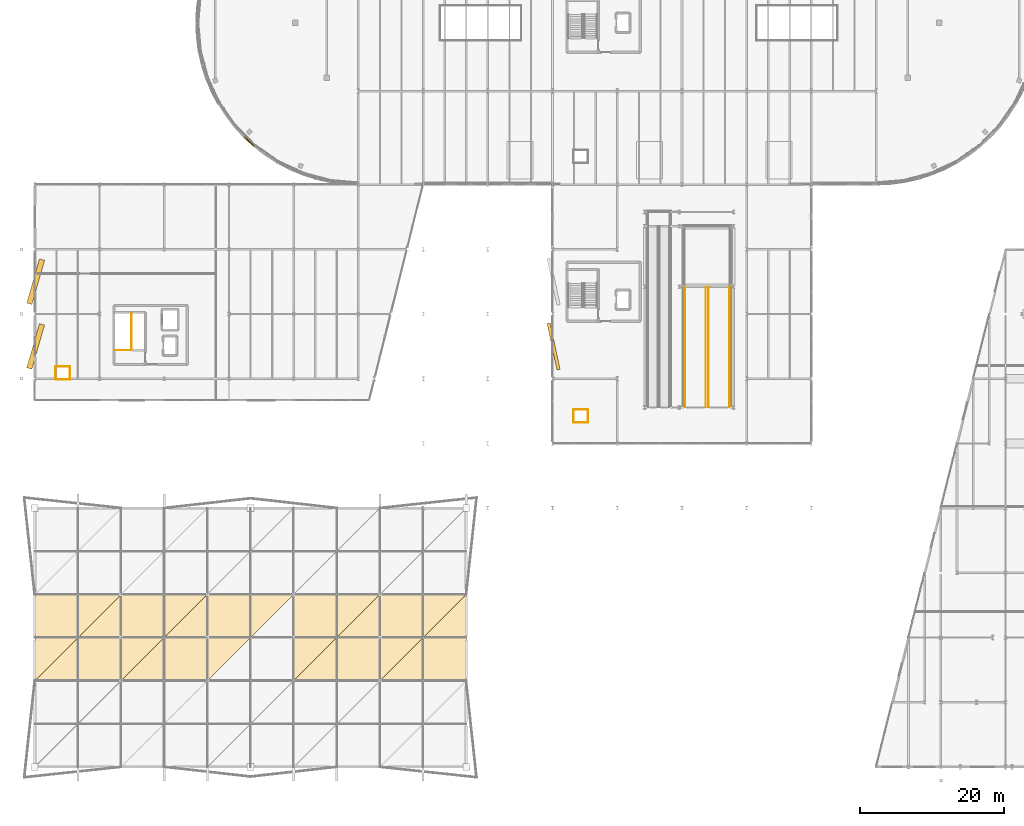
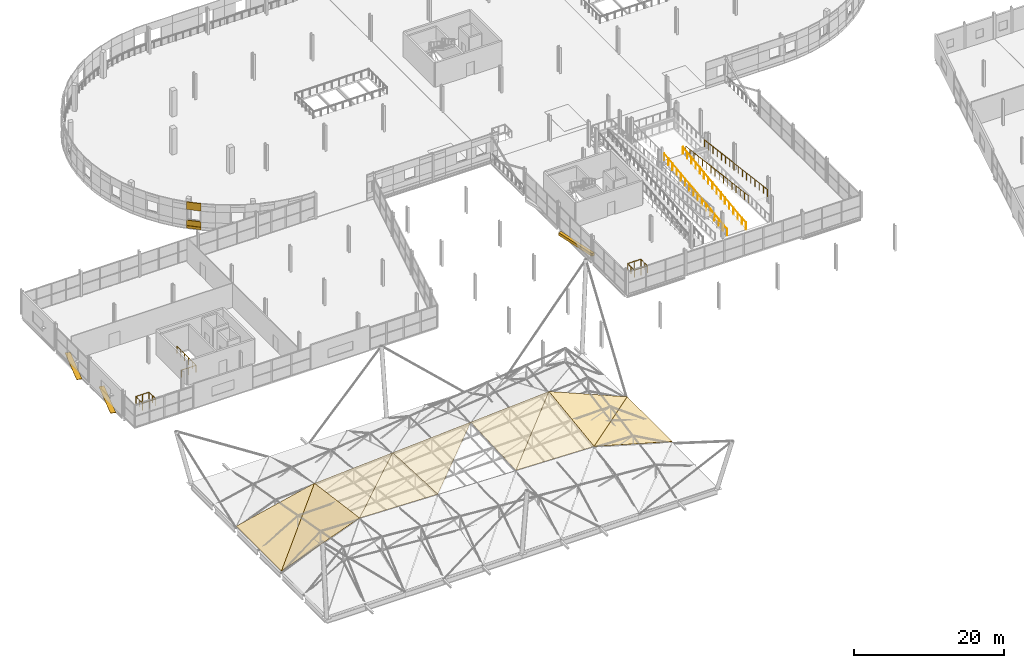
# One storey, part 119 of 132: 12 coverings, 9 railings, 3 shading devices.
"""IFC4 building model written with IfcOpenShell, lengths in metres."""

import ifcopenshell
import ifcopenshell.guid

model = None  # the IFC model being written
_history = None  # IfcOwnerHistory: only IFC2X3 demands one
_inside = {}  # id of a spatial element -> (the spatial element, [elements in it])
_under = {}  # id of a project, library or spatial element -> (it, [spatial elements below it])
_declared = {}  # id of a project -> (the project, [libraries it declares])
_typed = {}  # id of a type object -> (the type object, [elements of that type])
_made_of = {}  # id of a material, layer set ... -> (it, [elements and type objects made of it])


def new_model(schema):
    """Start an empty IFC model of exactly this schema.

    Asked for "IFC4X3", IfcOpenShell would pick the latest addendum, in which some entities
    have other attributes; the version numbers below select the first issue.
    IFC2X3 requires an IfcOwnerHistory on every rooted entity: one is made here for all.
    """
    global model, _history
    if schema == "IFC4X3":
        model = ifcopenshell.file(schema_version=(4, 3, 0, 0))
    else:
        model = ifcopenshell.file(schema=schema)
    _inside.clear()
    _under.clear()
    _declared.clear()
    _typed.clear()
    _made_of.clear()
    _history = None
    if model.schema == "IFC2X3":
        org = make("IfcOrganization", Name="unknown")
        user = make(
            "IfcPersonAndOrganization",
            ThePerson=make("IfcPerson", FamilyName="unknown"),
            TheOrganization=org,
        )
        app = make(
            "IfcApplication",
            ApplicationDeveloper=org,
            Version="unknown",
            ApplicationFullName="unknown",
            ApplicationIdentifier="unknown",
        )
        _history = make(
            "IfcOwnerHistory",
            OwningUser=user,
            OwningApplication=app,
            ChangeAction="ADDED",
            CreationDate=0,
        )
    return model


def make(cls, **values):
    """One entity of the class cls with the attributes given. An attribute that is None is left unset."""
    return model.create_entity(
        cls, **{name: value for name, value in values.items() if value is not None}
    )


def rooted(cls, **values):
    """An entity with a GlobalId (a new one), such as an element, a storey or a relation."""
    return make(cls, GlobalId=ifcopenshell.guid.new(), OwnerHistory=_history, **values)


def si_unit(unit_type, name, prefix=None):
    """IfcSIUnit, for example si_unit("LENGTHUNIT", "METRE", prefix="MILLI")."""
    return make("IfcSIUnit", UnitType=unit_type, Prefix=prefix, Name=name)


def assignment(units):
    """IfcUnitAssignment: the units of a project."""
    return None if units is None else make("IfcUnitAssignment", Units=units)


def point(xyz):
    """IfcCartesianPoint."""
    return None if xyz is None else make("IfcCartesianPoint", Coordinates=xyz)


def direction(xyz):
    """IfcDirection."""
    return None if xyz is None else make("IfcDirection", DirectionRatios=xyz)


def frame(location, z_axis=None, x_axis=None):
    """IfcAxis2Placement3D, a coordinate frame: its origin and axes. An axis left out is left unset."""
    return make(
        "IfcAxis2Placement3D",
        Location=point(location),
        Axis=direction(z_axis),
        RefDirection=direction(x_axis),
    )


def frame_2d(location, x_axis=None):
    """IfcAxis2Placement2D, a coordinate frame in the plane: its origin and x axis."""
    return make(
        "IfcAxis2Placement2D", Location=point(location), RefDirection=direction(x_axis)
    )


def origin():
    """The frame at (0, 0, 0) with its axes left unset."""
    return frame((0.0, 0.0, 0.0))


def origin_2d():
    """The frame at (0, 0) in the plane with its x axis left unset."""
    return frame_2d((0.0, 0.0))


def place(relative_to, where):
    """IfcLocalPlacement: puts the frame where relative to a parent placement (None: the world)."""
    return make(
        "IfcLocalPlacement", PlacementRelTo=relative_to, RelativePlacement=where
    )


def context(
    kind, dimensions, precision=None, world=None, true_north=None, identifier=None
):
    """IfcGeometricRepresentationContext, for example the 3D "Model" context."""
    return make(
        "IfcGeometricRepresentationContext",
        ContextIdentifier=identifier,
        ContextType=kind,
        CoordinateSpaceDimension=dimensions,
        Precision=precision,
        WorldCoordinateSystem=world,
        TrueNorth=true_north,
    )


def subcontext(parent, identifier, kind, view, scale=None):
    """IfcGeometricRepresentationSubContext, for example "Body" below "Model"."""
    return make(
        "IfcGeometricRepresentationSubContext",
        ContextIdentifier=identifier,
        ContextType=kind,
        ParentContext=parent,
        TargetScale=scale,
        TargetView=view,
    )


def project(units=None, contexts=None):
    """IfcProject with its units and contexts."""
    return rooted(
        "IfcProject",
        Name="project",
        RepresentationContexts=contexts,
        UnitsInContext=assignment(units),
    )


def spatial(cls, under=None, at=None, **own):
    """A site, building, storey or space (cls), placed at a placement, below another one or the project."""
    s = rooted(cls, ObjectPlacement=at, **own)
    if under is not None:
        _under.setdefault(under.id(), (under, []))[1].append(s)
    return s


def polyline(points):
    """IfcPolyline through the points."""
    return make("IfcPolyline", Points=[point(p) for p in points])


def profile(cls, at=None, kind="AREA", **sizes):
    """A parametric profile (cls). Its sizes go by their IFC names, for example OverallWidth=200.0."""
    return make(cls, ProfileType=kind, Position=at, **sizes)


def rectangle(**sizes):
    """IfcRectangleProfileDef."""
    return profile("IfcRectangleProfileDef", **sizes)


def circle(**sizes):
    """IfcCircleProfileDef."""
    return profile("IfcCircleProfileDef", **sizes)


def outline(outer, holes=None, kind="AREA"):
    """IfcArbitraryClosedProfileDef: a profile drawn as a closed curve; with holes, ...WithVoids."""
    if holes is None:
        return make("IfcArbitraryClosedProfileDef", ProfileType=kind, OuterCurve=outer)
    return make(
        "IfcArbitraryProfileDefWithVoids",
        ProfileType=kind,
        OuterCurve=outer,
        InnerCurves=holes,
    )


def extrude(swept, where, along, depth):
    """IfcExtrudedAreaSolid: the profile swept, set in the frame where, extruded along a direction by depth."""
    return make(
        "IfcExtrudedAreaSolid",
        SweptArea=swept,
        Position=where,
        ExtrudedDirection=direction(along),
        Depth=depth,
    )


def shape(context_of_items, identifier, shape_type, items):
    """IfcShapeRepresentation: the items that make up one representation, for example the "Body"."""
    return make(
        "IfcShapeRepresentation",
        ContextOfItems=context_of_items,
        RepresentationIdentifier=identifier,
        RepresentationType=shape_type,
        Items=items,
    )


def material(Name=None, Category=None):
    """IfcMaterial."""
    return make("IfcMaterial", Name=Name, Category=Category)


def layer(
    of_material, thickness, ventilated=None, Name=None, Category=None, Priority=None
):
    """IfcMaterialLayer: one layer of a wall or slab, of a material (None: an air gap)."""
    return make(
        "IfcMaterialLayer",
        Material=of_material,
        LayerThickness=thickness,
        IsVentilated=ventilated,
        Name=Name,
        Category=Category,
        Priority=Priority,
    )


def layer_set(layers, Name=None):
    """IfcMaterialLayerSet."""
    return make("IfcMaterialLayerSet", MaterialLayers=layers, LayerSetName=Name)


def made_of(thing, what):
    """Note that an element or type object is made of a material, layer set ...; save() writes the relation."""
    if what is not None:
        _made_of.setdefault(what.id(), (what, []))[1].append(thing)
    return thing


def type_object(cls, material=None, **own):
    """A type object (cls), such as IfcWallType, which elements share."""
    return made_of(rooted(cls, **own), material)


def element(
    cls,
    number,
    at=None,
    inside=None,
    cuts=None,
    type_object=None,
    material=None,
    context=None,
    identifier="Body",
    shape_type=None,
    held_by="IfcProductDefinitionShape",
    body=None,
    shapes=None,
    **own,
):
    """One element of the class cls, such as IfcWall. Its Tag is "e" and its number.

    at: its placement. inside: the storey or other place that contains it. cuts: it is an
    opening in that element (IfcRelVoidsElement). A single representation is given by context,
    identifier, shape_type and body (its items); several are given by shapes. held_by: the class
    of the entity that holds the representations. save() writes the other relations.
    """
    e = rooted(cls, Tag="e%d" % number, ObjectPlacement=at, **own)
    if body is not None:
        shapes = [shape(context, identifier, shape_type, body)]
    if shapes is not None:
        e.Representation = make(held_by, Representations=shapes)
    if inside is not None:
        _inside.setdefault(inside.id(), (inside, []))[1].append(e)
    if cuts is not None:
        rooted(
            "IfcRelVoidsElement", RelatingBuildingElement=cuts, RelatedOpeningElement=e
        )
    if type_object is not None:
        _typed.setdefault(type_object.id(), (type_object, []))[1].append(e)
    return made_of(e, material)


def aggregate(whole, parts):
    """IfcRelAggregates: a whole, such as a stair, and the parts it consists of."""
    return rooted("IfcRelAggregates", RelatingObject=whole, RelatedObjects=parts)


def save(model, path):
    """Write the relations noted so far, then the file.

    IfcRelAggregates (storeys below a building ...), IfcRelContainedInSpatialStructure (elements
    in a storey), IfcRelDefinesByType, IfcRelAssociatesMaterial and IfcRelDeclares: one each for
    every whole, place, type object, material and project.
    """
    for whole, parts in _under.values():
        aggregate(whole, parts)
    for where, things in _inside.values():
        rooted(
            "IfcRelContainedInSpatialStructure",
            RelatedElements=things,
            RelatingStructure=where,
        )
    for kind, things in _typed.values():
        rooted("IfcRelDefinesByType", RelatedObjects=things, RelatingType=kind)
    for what, things in _made_of.values():
        rooted("IfcRelAssociatesMaterial", RelatedObjects=things, RelatingMaterial=what)
    for by, libraries in _declared.values():
        rooted("IfcRelDeclares", RelatingContext=by, RelatedDefinitions=libraries)
    model.write(path)


model = new_model("IFC4")

# Units and contexts
model_context = context("Model", 3, precision=1e-05, world=origin(), true_north=direction((0.0, 1.0)))
body_context = subcontext(model_context, "Body", "Model", "MODEL_VIEW")
ifc_project = project(units=[si_unit("LENGTHUNIT", "METRE"), si_unit("AREAUNIT", "SQUARE_METRE"), si_unit("VOLUMEUNIT", "CUBIC_METRE"), si_unit("PLANEANGLEUNIT", "RADIAN"), si_unit("MASSUNIT", "GRAM", prefix="KILO")], contexts=[model_context])

# Site, building, storey
site_placement = place(None, origin())
site = spatial("IfcSite", under=ifc_project, at=site_placement, CompositionType="ELEMENT")
building_placement = place(site_placement, origin())
building = spatial("IfcBuilding", under=site, at=building_placement, Name="Deido Ridge Mobility Hub", CompositionType="ELEMENT")
storey_placement = place(building_placement, frame((0.0, 0.0, 8.39990234375)))
storey = spatial("IfcBuildingStorey", under=building, at=storey_placement, Name="L02", CompositionType="ELEMENT", Elevation=8.39990234375)

# Coverings
ifc_material_1 = material(Name="Fired clay brick masonry", Category="masonry")
ifc_layer_1 = layer(ifc_material_1, 0.114990234375, Name="Fired clay brick masonry")
ifc_layer_set_1 = layer_set([ifc_layer_1], Name="Fired clay brick masonry")
covering_type_1 = type_object("IfcCoveringType", Name="COV-BRK-SCREEN-115", PredefinedType="CLADDING", material=ifc_layer_set_1)
covering_1_placement = place(storey_placement, frame((29.84912109375, 86.9658203125, 0.0), z_axis=(0.0, 0.0, 1.0), x_axis=(0.737289127971, -0.675577339596, 0.0)))
element("IfcCovering", 1, at=covering_1_placement, inside=storey, type_object=covering_type_1, Name="Open brickwork spandrel course BKS1 (L02)", PredefinedType="CLADDING", context=body_context, shape_type="SweptSolid", body=[
    extrude(rectangle(XDim=1.9619140625, YDim=0.125, at=origin_2d()), origin(), (0.0, 0.0, 1.0), 1.25),
])
covering_2_placement = place(storey_placement, frame((29.83056640625, 86.9453125, 0.000244140625), z_axis=(0.0, 0.0, 1.0), x_axis=(0.737289127971, -0.675577339596, 0.0)))
element("IfcCovering", 2, at=covering_2_placement, inside=storey, type_object=covering_type_1, Name="Raised brick relief belt BKS1 (L02)", PredefinedType="CLADDING", context=body_context, shape_type="SweptSolid", body=[
    extrude(rectangle(XDim=1.9619140625, YDim=0.179931640625, at=origin_2d()), origin(), (0.0, 0.0, 1.0), 0.39990234375),
])
covering_3_placement = place(storey_placement, frame((29.84912109375, 86.9658203125, 3.0), z_axis=(0.0, 0.0, 1.0), x_axis=(0.737289127971, -0.675577339596, 0.0)))
element("IfcCovering", 3, at=covering_3_placement, inside=storey, type_object=covering_type_1, Name="Open brickwork lintel course BKS1 (L02)", PredefinedType="CLADDING", context=body_context, shape_type="SweptSolid", body=[
    extrude(rectangle(XDim=1.9619140625, YDim=0.125, at=origin_2d()), origin(), (0.0, 0.0, 1.0), 1.199951171875),
])
ifc_material_2 = material(Name="PTFE coated glass-fibre architectural membrane", Category="glass")
ifc_layer_2 = layer(ifc_material_2, 0.02490234375, Name="PTFE coated glass-fibre architectural membrane")
ifc_layer_set_2 = layer_set([ifc_layer_2], Name="PTFE coated glass-fibre architectural membrane")
covering_type_2 = type_object("IfcCoveringType", Name="COV-ROOFING-PTFE", PredefinedType="ROOFING", material=ifc_layer_set_2)
covering_4_placement = place(storey_placement, frame((0.0, 12.0, 0.320068359375), z_axis=(-0.342134847557, 0.127228022534, 0.930997731667), x_axis=(0.938625476199, 0.0, 0.344937987805)))
element("IfcCovering", 4, at=covering_4_placement, inside=storey, type_object=covering_type_2, Name="PTFE outer architectural membrane 1A", PredefinedType="ROOFING", context=body_context, shape_type="SweptSolid", body=[
    extrude(outline(polyline([(0.0, 0.0), (12.784651923787846, 0.0), (12.218990677673531, 12.098317032646893), (0.0, 0.0)])), origin(), (0.0, 0.0, -1.0), 0.02490234375),
])
covering_5_placement = place(storey_placement, frame((0.0, 12.0, 0.320068359375), z_axis=(-0.224920313956, 0.0, 0.974377161252), x_axis=(0.697871408955, 0.697871408955, 0.161093119426)))
element("IfcCovering", 5, at=covering_5_placement, inside=storey, type_object=covering_type_2, Name="PTFE outer architectural membrane 1B", PredefinedType="ROOFING", context=body_context, shape_type="SweptSolid", body=[
    extrude(outline(polyline([(0.0, 0.0), (17.19514490207938, -1.4988010832439613e-15), (8.374456907460335, 8.594676928488347), (0.0, 0.0)])), origin(), (0.0, 0.0, -1.0), 0.02490234375),
])
covering_6_placement = place(storey_placement, frame((12.0, 12.0, 4.72998046875), z_axis=(0.027183431555, 0.045488567452, 0.998594938541), x_axis=(0.999629695867, 0.0, -0.027211599387)))
element("IfcCovering", 6, at=covering_6_placement, inside=storey, type_object=covering_type_2, Name="PTFE outer architectural membrane 2A", PredefinedType="ROOFING", context=body_context, shape_type="SweptSolid", body=[
    extrude(outline(polyline([(0.0, 0.0), (12.004445295709473, 1.734723475976807e-18), (12.019319995667358, 12.012434559227462), (0.0, 0.0)])), origin(), (0.0, 0.0, -1.0), 0.02490234375),
])
covering_7_placement = place(storey_placement, frame((12.0, 12.0, 4.72998046875), z_axis=(-0.063168759043, 0.13512883901, 0.988812370851), x_axis=(0.706172410889, 0.706172410889, -0.051391168493)))
element("IfcCovering", 7, at=covering_7_placement, inside=storey, type_object=covering_type_2, Name="PTFE outer architectural membrane 2B", PredefinedType="ROOFING", context=body_context, shape_type="SweptSolid", body=[
    extrude(outline(polyline([(0.0, 0.0), (16.993017307057958, 5.689893001203927e-16), (8.558344926457659, 8.569946311825175), (0.0, 0.0)])), origin(), (0.0, 0.0, -1.0), 0.02490234375),
])
covering_8_placement = place(storey_placement, frame((24.0, 12.0, 4.4033203125), z_axis=(-0.063687729233, 0.045413001832, 0.996936072379), x_axis=(0.707047387883, 0.707047387883, 0.012960809255)))
element("IfcCovering", 8, at=covering_8_placement, inside=storey, type_object=covering_type_2, Name="PTFE outer architectural membrane 3B", PredefinedType="ROOFING", context=body_context, shape_type="SweptSolid", body=[
    extrude(outline(polyline([(0.0, 0.0), (16.971988307509328, -5.238864897449957e-16), (8.477483876291222, 8.510644653822848), (0.0, 0.0)])), origin(), (0.0, 0.0, -1.0), 0.02490234375),
])
covering_9_placement = place(storey_placement, frame((36.0, 12.0, 4.076904296875), z_axis=(0.02698125614, -0.135369737677, 0.990427708588), x_axis=(0.999629142449, 0.0, -0.027231921829)))
element("IfcCovering", 9, at=covering_9_placement, inside=storey, type_object=covering_type_2, Name="PTFE outer architectural membrane 4A", PredefinedType="ROOFING", context=body_context, shape_type="SweptSolid", body=[
    extrude(outline(polyline([(0.0, 0.0), (12.004451941647122, 0.0), (11.95978786673324, 12.111484367186545), (0.0, 0.0)])), origin(), (0.0, 0.0, -1.0), 0.02490234375),
])
covering_10_placement = place(storey_placement, frame((36.0, 12.0, 4.076904296875), z_axis=(-0.063707988309, -0.045392702272, 0.996935702443), x_axis=(0.70499912102, 0.70499912102, 0.077152308593)))
element("IfcCovering", 10, at=covering_10_placement, inside=storey, type_object=covering_type_2, Name="PTFE outer architectural membrane 4B", PredefinedType="ROOFING", context=body_context, shape_type="SweptSolid", body=[
    extrude(outline(polyline([(0.0, 0.0), (17.021297817553858, 9.055256544598933e-16), (8.50214444897962, 8.485993060043798), (0.0, 0.0)])), origin(), (0.0, 0.0, -1.0), 0.02490234375),
])
covering_11_placement = place(storey_placement, frame((48.0, 12.0, 3.75), z_axis=(0.274821887439, 0.0, 0.96149515349), x_axis=(0.96149515349, 0.0, -0.274821887439)))
element("IfcCovering", 11, at=covering_11_placement, inside=storey, type_object=covering_type_2, Name="PTFE outer architectural membrane 5A", PredefinedType="ROOFING", context=body_context, shape_type="SweptSolid", body=[
    extrude(outline(polyline([(0.0, 0.0), (12.48056212914148, 0.0), (12.48056212914148, 12.0), (0.0, 0.0)])), origin(), (0.0, 0.0, -1.0), 0.02490234375),
])
covering_12_placement = place(storey_placement, frame((48.0, 12.0, 3.75), z_axis=(0.386145229507, -0.124915666771, 0.913940883167), x_axis=(0.693092494909, 0.693092494909, -0.198104989847)))
element("IfcCovering", 12, at=covering_12_placement, inside=storey, type_object=covering_type_2, Name="PTFE outer architectural membrane 5B", PredefinedType="ROOFING", context=body_context, shape_type="SweptSolid", body=[
    extrude(outline(polyline([(0.0, 0.0), (17.31370645065234, 8.881784197001252e-16), (7.992190670888663, 9.1002712452076), (0.0, 0.0)])), origin(), (0.0, 0.0, -1.0), 0.02490234375),
])

# Railings
ifc_material_3 = material(Name="Galvanised steel work", Category="steel")
railing_type_1 = type_object("IfcRailingType", Name="RL-GRD-EXT-1150", PredefinedType="GUARDRAIL", material=ifc_material_3)
railing_1_placement = place(storey_placement, frame((90.39990234375, 50.050048828125, 0.0)))
element("IfcRailing", 13, at=railing_1_placement, inside=storey, type_object=railing_type_1, Name="Vehicle ramp F1 guard (L02)", PredefinedType="GUARDRAIL", context=body_context, shape_type="SweptSolid", body=[
    extrude(circle(Radius=0.02392578125, at=origin_2d()), frame((0.0, 0.0, 1.1259765625), z_axis=(0.0, 0.992231528187, 0.1244049616), x_axis=(-1.0, 0.0, 0.0)), (0.0, 0.0, 1.0), 16.881103515625),
    extrude(circle(Radius=0.02099609375, at=origin_2d()), origin(), (0.0, 0.0, 1.0), 1.101806640625),
    extrude(circle(Radius=0.02099609375, at=origin_2d()), frame((0.0, 1.11669921875, 0.139892578125)), (0.0, 0.0, 1.0), 1.101806640625),
    extrude(circle(Radius=0.02099609375, at=origin_2d()), frame((0.0, 2.2333984375, 0.280029296875)), (0.0, 0.0, 1.0), 1.101806640625),
    extrude(circle(Radius=0.02099609375, at=origin_2d()), frame((0.0, 3.35009765625, 0.419921875)), (0.0, 0.0, 1.0), 1.101806640625),
    extrude(circle(Radius=0.02099609375, at=origin_2d()), frame((0.0, 4.466552734375, 0.56005859375)), (0.0, 0.0, 1.0), 1.101806640625),
    extrude(circle(Radius=0.02099609375, at=origin_2d()), frame((0.0, 5.583251953125, 0.699951171875)), (0.0, 0.0, 1.0), 1.101806640625),
    extrude(circle(Radius=0.02099609375, at=origin_2d()), frame((0.0, 6.699951171875, 0.840087890625)), (0.0, 0.0, 1.0), 1.101806640625),
    extrude(circle(Radius=0.02099609375, at=origin_2d()), frame((0.0, 7.816650390625, 0.97998046875)), (0.0, 0.0, 1.0), 1.101806640625),
    extrude(circle(Radius=0.02099609375, at=origin_2d()), frame((0.0, 8.933349609375, 1.1201171875)), (0.0, 0.0, 1.0), 1.101806640625),
    extrude(circle(Radius=0.02099609375, at=origin_2d()), frame((0.0, 10.050048828125, 1.260009765625)), (0.0, 0.0, 1.0), 1.101806640625),
    extrude(circle(Radius=0.02099609375, at=origin_2d()), frame((0.0, 11.166748046875, 1.400146484375)), (0.0, 0.0, 1.0), 1.101806640625),
    extrude(circle(Radius=0.02099609375, at=origin_2d()), frame((0.0, 12.283447265625, 1.5400390625)), (0.0, 0.0, 1.0), 1.101806640625),
    extrude(circle(Radius=0.02099609375, at=origin_2d()), frame((0.0, 13.39990234375, 1.68017578125)), (0.0, 0.0, 1.0), 1.101806640625),
    extrude(circle(Radius=0.02099609375, at=origin_2d()), frame((0.0, 14.5166015625, 1.820068359375)), (0.0, 0.0, 1.0), 1.101806640625),
    extrude(circle(Radius=0.02099609375, at=origin_2d()), frame((0.0, 15.63330078125, 1.960205078125)), (0.0, 0.0, 1.0), 1.101806640625),
    extrude(circle(Radius=0.02099609375, at=origin_2d()), frame((0.0, 16.75, 2.10009765625)), (0.0, 0.0, 1.0), 1.101806640625),
])
railing_2_placement = place(storey_placement, frame((93.300048828125, 50.050048828125, 0.0)))
element("IfcRailing", 14, at=railing_2_placement, inside=storey, type_object=railing_type_1, Name="Vehicle ramp F1 guard (L02)", PredefinedType="GUARDRAIL", context=body_context, shape_type="SweptSolid", body=[
    extrude(circle(Radius=0.02392578125, at=origin_2d()), frame((0.0, 0.0, 1.1259765625), z_axis=(0.0, 0.992231528187, 0.1244049616), x_axis=(-1.0, 0.0, 0.0)), (0.0, 0.0, 1.0), 16.881103515625),
    extrude(circle(Radius=0.02099609375, at=origin_2d()), origin(), (0.0, 0.0, 1.0), 1.101806640625),
    extrude(circle(Radius=0.02099609375, at=origin_2d()), frame((0.0, 1.11669921875, 0.139892578125)), (0.0, 0.0, 1.0), 1.101806640625),
    extrude(circle(Radius=0.02099609375, at=origin_2d()), frame((0.0, 2.2333984375, 0.280029296875)), (0.0, 0.0, 1.0), 1.101806640625),
    extrude(circle(Radius=0.02099609375, at=origin_2d()), frame((0.0, 3.35009765625, 0.419921875)), (0.0, 0.0, 1.0), 1.101806640625),
    extrude(circle(Radius=0.02099609375, at=origin_2d()), frame((0.0, 4.466552734375, 0.56005859375)), (0.0, 0.0, 1.0), 1.101806640625),
    extrude(circle(Radius=0.02099609375, at=origin_2d()), frame((0.0, 5.583251953125, 0.699951171875)), (0.0, 0.0, 1.0), 1.101806640625),
    extrude(circle(Radius=0.02099609375, at=origin_2d()), frame((0.0, 6.699951171875, 0.840087890625)), (0.0, 0.0, 1.0), 1.101806640625),
    extrude(circle(Radius=0.02099609375, at=origin_2d()), frame((0.0, 7.816650390625, 0.97998046875)), (0.0, 0.0, 1.0), 1.101806640625),
    extrude(circle(Radius=0.02099609375, at=origin_2d()), frame((0.0, 8.933349609375, 1.1201171875)), (0.0, 0.0, 1.0), 1.101806640625),
    extrude(circle(Radius=0.02099609375, at=origin_2d()), frame((0.0, 10.050048828125, 1.260009765625)), (0.0, 0.0, 1.0), 1.101806640625),
    extrude(circle(Radius=0.02099609375, at=origin_2d()), frame((0.0, 11.166748046875, 1.400146484375)), (0.0, 0.0, 1.0), 1.101806640625),
    extrude(circle(Radius=0.02099609375, at=origin_2d()), frame((0.0, 12.283447265625, 1.5400390625)), (0.0, 0.0, 1.0), 1.101806640625),
    extrude(circle(Radius=0.02099609375, at=origin_2d()), frame((0.0, 13.39990234375, 1.68017578125)), (0.0, 0.0, 1.0), 1.101806640625),
    extrude(circle(Radius=0.02099609375, at=origin_2d()), frame((0.0, 14.5166015625, 1.820068359375)), (0.0, 0.0, 1.0), 1.101806640625),
    extrude(circle(Radius=0.02099609375, at=origin_2d()), frame((0.0, 15.63330078125, 1.960205078125)), (0.0, 0.0, 1.0), 1.101806640625),
    extrude(circle(Radius=0.02099609375, at=origin_2d()), frame((0.0, 16.75, 2.10009765625)), (0.0, 0.0, 1.0), 1.101806640625),
])
railing_3_placement = place(storey_placement, frame((93.699951171875, 66.800048828125, 2.10009765625)))
element("IfcRailing", 15, at=railing_3_placement, inside=storey, type_object=railing_type_1, Name="Vehicle ramp F2 guard (L02)", PredefinedType="GUARDRAIL", context=body_context, shape_type="SweptSolid", body=[
    extrude(circle(Radius=0.02392578125, at=origin_2d()), frame((0.0, 0.0, 1.1259765625), z_axis=(0.0, -0.992231528187, 0.1244049616), x_axis=(1.0, 0.0, 0.0)), (0.0, 0.0, 1.0), 16.881103515625),
    extrude(circle(Radius=0.02099609375, at=origin_2d()), origin(), (0.0, 0.0, 1.0), 1.101806640625),
    extrude(circle(Radius=0.02099609375, at=origin_2d()), frame((0.0, -1.11669921875, 0.139892578125)), (0.0, 0.0, 1.0), 1.101806640625),
    extrude(circle(Radius=0.02099609375, at=origin_2d()), frame((0.0, -2.2333984375, 0.280029296875)), (0.0, 0.0, 1.0), 1.101806640625),
    extrude(circle(Radius=0.02099609375, at=origin_2d()), frame((0.0, -3.35009765625, 0.419921875)), (0.0, 0.0, 1.0), 1.101806640625),
    extrude(circle(Radius=0.02099609375, at=origin_2d()), frame((0.0, -4.466552734375, 0.56005859375)), (0.0, 0.0, 1.0), 1.101806640625),
    extrude(circle(Radius=0.02099609375, at=origin_2d()), frame((0.0, -5.583251953125, 0.699951171875)), (0.0, 0.0, 1.0), 1.101806640625),
    extrude(circle(Radius=0.02099609375, at=origin_2d()), frame((0.0, -6.699951171875, 0.840087890625)), (0.0, 0.0, 1.0), 1.101806640625),
    extrude(circle(Radius=0.02099609375, at=origin_2d()), frame((0.0, -7.816650390625, 0.97998046875)), (0.0, 0.0, 1.0), 1.101806640625),
    extrude(circle(Radius=0.02099609375, at=origin_2d()), frame((0.0, -8.933349609375, 1.1201171875)), (0.0, 0.0, 1.0), 1.101806640625),
    extrude(circle(Radius=0.02099609375, at=origin_2d()), frame((0.0, -10.050048828125, 1.260009765625)), (0.0, 0.0, 1.0), 1.101806640625),
    extrude(circle(Radius=0.02099609375, at=origin_2d()), frame((0.0, -11.166748046875, 1.400146484375)), (0.0, 0.0, 1.0), 1.101806640625),
    extrude(circle(Radius=0.02099609375, at=origin_2d()), frame((0.0, -12.283447265625, 1.5400390625)), (0.0, 0.0, 1.0), 1.101806640625),
    extrude(circle(Radius=0.02099609375, at=origin_2d()), frame((0.0, -13.39990234375, 1.68017578125)), (0.0, 0.0, 1.0), 1.101806640625),
    extrude(circle(Radius=0.02099609375, at=origin_2d()), frame((0.0, -14.5166015625, 1.820068359375)), (0.0, 0.0, 1.0), 1.101806640625),
    extrude(circle(Radius=0.02099609375, at=origin_2d()), frame((0.0, -15.63330078125, 1.960205078125)), (0.0, 0.0, 1.0), 1.101806640625),
    extrude(circle(Radius=0.02099609375, at=origin_2d()), frame((0.0, -16.75, 2.10009765625)), (0.0, 0.0, 1.0), 1.101806640625),
])
railing_4_placement = place(storey_placement, frame((96.60009765625, 66.800048828125, 2.10009765625)))
element("IfcRailing", 16, at=railing_4_placement, inside=storey, type_object=railing_type_1, Name="Vehicle ramp F2 guard (L02)", PredefinedType="GUARDRAIL", context=body_context, shape_type="SweptSolid", body=[
    extrude(circle(Radius=0.02392578125, at=origin_2d()), frame((0.0, 0.0, 1.1259765625), z_axis=(0.0, -0.992231528187, 0.1244049616), x_axis=(1.0, 0.0, 0.0)), (0.0, 0.0, 1.0), 16.881103515625),
    extrude(circle(Radius=0.02099609375, at=origin_2d()), origin(), (0.0, 0.0, 1.0), 1.101806640625),
    extrude(circle(Radius=0.02099609375, at=origin_2d()), frame((0.0, -1.11669921875, 0.139892578125)), (0.0, 0.0, 1.0), 1.101806640625),
    extrude(circle(Radius=0.02099609375, at=origin_2d()), frame((0.0, -2.2333984375, 0.280029296875)), (0.0, 0.0, 1.0), 1.101806640625),
    extrude(circle(Radius=0.02099609375, at=origin_2d()), frame((0.0, -3.35009765625, 0.419921875)), (0.0, 0.0, 1.0), 1.101806640625),
    extrude(circle(Radius=0.02099609375, at=origin_2d()), frame((0.0, -4.466552734375, 0.56005859375)), (0.0, 0.0, 1.0), 1.101806640625),
    extrude(circle(Radius=0.02099609375, at=origin_2d()), frame((0.0, -5.583251953125, 0.699951171875)), (0.0, 0.0, 1.0), 1.101806640625),
    extrude(circle(Radius=0.02099609375, at=origin_2d()), frame((0.0, -6.699951171875, 0.840087890625)), (0.0, 0.0, 1.0), 1.101806640625),
    extrude(circle(Radius=0.02099609375, at=origin_2d()), frame((0.0, -7.816650390625, 0.97998046875)), (0.0, 0.0, 1.0), 1.101806640625),
    extrude(circle(Radius=0.02099609375, at=origin_2d()), frame((0.0, -8.933349609375, 1.1201171875)), (0.0, 0.0, 1.0), 1.101806640625),
    extrude(circle(Radius=0.02099609375, at=origin_2d()), frame((0.0, -10.050048828125, 1.260009765625)), (0.0, 0.0, 1.0), 1.101806640625),
    extrude(circle(Radius=0.02099609375, at=origin_2d()), frame((0.0, -11.166748046875, 1.400146484375)), (0.0, 0.0, 1.0), 1.101806640625),
    extrude(circle(Radius=0.02099609375, at=origin_2d()), frame((0.0, -12.283447265625, 1.5400390625)), (0.0, 0.0, 1.0), 1.101806640625),
    extrude(circle(Radius=0.02099609375, at=origin_2d()), frame((0.0, -13.39990234375, 1.68017578125)), (0.0, 0.0, 1.0), 1.101806640625),
    extrude(circle(Radius=0.02099609375, at=origin_2d()), frame((0.0, -14.5166015625, 1.820068359375)), (0.0, 0.0, 1.0), 1.101806640625),
    extrude(circle(Radius=0.02099609375, at=origin_2d()), frame((0.0, -15.63330078125, 1.960205078125)), (0.0, 0.0, 1.0), 1.101806640625),
    extrude(circle(Radius=0.02099609375, at=origin_2d()), frame((0.0, -16.75, 2.10009765625)), (0.0, 0.0, 1.0), 1.101806640625),
])
railing_5_placement = place(storey_placement, frame((2.89990234375, 53.89990234375, 0.0)))
element("IfcRailing", 17, at=railing_5_placement, inside=storey, type_object=railing_type_1, Name="Service riser shaft guard (L02) A", PredefinedType="GUARDRAIL", context=body_context, shape_type="SweptSolid", body=[
    extrude(circle(Radius=0.02392578125, at=origin_2d()), frame((0.0, 0.0, 1.1259765625), z_axis=(1.0, 0.0, 0.0), x_axis=(0.0, 1.0, 0.0)), (0.0, 0.0, 1.0), 2.0),
    extrude(circle(Radius=0.02392578125, at=origin_2d()), frame((2.0, 0.0, 1.1259765625), z_axis=(0.0, 1.0, 0.0), x_axis=(-1.0, 0.0, 0.0)), (0.0, 0.0, 1.0), 1.739990234375),
    extrude(circle(Radius=0.02099609375, at=origin_2d()), origin(), (0.0, 0.0, 1.0), 1.101806640625),
    extrude(circle(Radius=0.02099609375, at=origin_2d()), frame((1.0, 0.0, 0.0)), (0.0, 0.0, 1.0), 1.101806640625),
    extrude(circle(Radius=0.02099609375, at=origin_2d()), frame((2.0, 0.0, 0.0)), (0.0, 0.0, 1.0), 1.101806640625),
    extrude(circle(Radius=0.02099609375, at=origin_2d()), frame((2.0, 0.8701171875, 0.0)), (0.0, 0.0, 1.0), 1.101806640625),
    extrude(circle(Radius=0.02099609375, at=origin_2d()), frame((2.0, 1.739990234375, 0.0)), (0.0, 0.0, 1.0), 1.101806640625),
])
railing_6_placement = place(storey_placement, frame((4.89990234375, 55.699951171875, 0.0)))
element("IfcRailing", 18, at=railing_6_placement, inside=storey, type_object=railing_type_1, Name="Service riser shaft guard (L02) B", PredefinedType="GUARDRAIL", context=body_context, shape_type="SweptSolid", body=[
    extrude(circle(Radius=0.02392578125, at=origin_2d()), frame((0.0, 0.0, 1.1259765625), z_axis=(-1.0, 0.0, 0.0), x_axis=(0.0, -1.0, 0.0)), (0.0, 0.0, 1.0), 2.0),
    extrude(circle(Radius=0.02392578125, at=origin_2d()), frame((-2.0, 0.0, 1.1259765625), z_axis=(0.0, -1.0, 0.0), x_axis=(1.0, 0.0, 0.0)), (0.0, 0.0, 1.0), 1.739990234375),
    extrude(circle(Radius=0.02099609375, at=origin_2d()), origin(), (0.0, 0.0, 1.0), 1.101806640625),
    extrude(circle(Radius=0.02099609375, at=origin_2d()), frame((-1.0, 0.0, 0.0)), (0.0, 0.0, 1.0), 1.101806640625),
    extrude(circle(Radius=0.02099609375, at=origin_2d()), frame((-2.0, 0.0, 0.0)), (0.0, 0.0, 1.0), 1.101806640625),
    extrude(circle(Radius=0.02099609375, at=origin_2d()), frame((-2.0, -0.8701171875, 0.0)), (0.0, 0.0, 1.0), 1.101806640625),
    extrude(circle(Radius=0.02099609375, at=origin_2d()), frame((-2.0, -1.739990234375, 0.0)), (0.0, 0.0, 1.0), 1.101806640625),
])
railing_7_placement = place(storey_placement, frame((74.925048828125, 47.89990234375, 0.0)))
element("IfcRailing", 19, at=railing_7_placement, inside=storey, type_object=railing_type_1, Name="Service riser shaft guard (L02) A", PredefinedType="GUARDRAIL", context=body_context, shape_type="SweptSolid", body=[
    extrude(circle(Radius=0.02392578125, at=origin_2d()), frame((0.0, 0.0, 1.1259765625), z_axis=(1.0, 0.0, 0.0), x_axis=(0.0, 1.0, 0.0)), (0.0, 0.0, 1.0), 2.0),
    extrude(circle(Radius=0.02392578125, at=origin_2d()), frame((2.0, 0.0, 1.1259765625), z_axis=(0.0, 1.0, 0.0), x_axis=(-1.0, 0.0, 0.0)), (0.0, 0.0, 1.0), 1.739990234375),
    extrude(circle(Radius=0.02099609375, at=origin_2d()), origin(), (0.0, 0.0, 1.0), 1.101806640625),
    extrude(circle(Radius=0.02099609375, at=origin_2d()), frame((1.0, 0.0, 0.0)), (0.0, 0.0, 1.0), 1.101806640625),
    extrude(circle(Radius=0.02099609375, at=origin_2d()), frame((2.0, 0.0, 0.0)), (0.0, 0.0, 1.0), 1.101806640625),
    extrude(circle(Radius=0.02099609375, at=origin_2d()), frame((2.0, 0.8701171875, 0.0)), (0.0, 0.0, 1.0), 1.101806640625),
    extrude(circle(Radius=0.02099609375, at=origin_2d()), frame((2.0, 1.739990234375, 0.0)), (0.0, 0.0, 1.0), 1.101806640625),
])
railing_8_placement = place(storey_placement, frame((76.925048828125, 49.699951171875, 0.0)))
element("IfcRailing", 20, at=railing_8_placement, inside=storey, type_object=railing_type_1, Name="Service riser shaft guard (L02) B", PredefinedType="GUARDRAIL", context=body_context, shape_type="SweptSolid", body=[
    extrude(circle(Radius=0.02392578125, at=origin_2d()), frame((0.0, 0.0, 1.1259765625), z_axis=(-1.0, 0.0, 0.0), x_axis=(0.0, -1.0, 0.0)), (0.0, 0.0, 1.0), 2.0),
    extrude(circle(Radius=0.02392578125, at=origin_2d()), frame((-2.0, 0.0, 1.1259765625), z_axis=(0.0, -1.0, 0.0), x_axis=(1.0, 0.0, 0.0)), (0.0, 0.0, 1.0), 1.739990234375),
    extrude(circle(Radius=0.02099609375, at=origin_2d()), origin(), (0.0, 0.0, 1.0), 1.101806640625),
    extrude(circle(Radius=0.02099609375, at=origin_2d()), frame((-1.0, 0.0, 0.0)), (0.0, 0.0, 1.0), 1.101806640625),
    extrude(circle(Radius=0.02099609375, at=origin_2d()), frame((-2.0, 0.0, 0.0)), (0.0, 0.0, 1.0), 1.101806640625),
    extrude(circle(Radius=0.02099609375, at=origin_2d()), frame((-2.0, -0.8701171875, 0.0)), (0.0, 0.0, 1.0), 1.101806640625),
    extrude(circle(Radius=0.02099609375, at=origin_2d()), frame((-2.0, -1.739990234375, 0.0)), (0.0, 0.0, 1.0), 1.101806640625),
])
railing_type_2 = type_object("IfcRailingType", Name="RL-STAIR-GRD-1150", PredefinedType="GUARDRAIL", material=ifc_material_3)
railing_9_placement = place(storey_placement, frame((11.179931640625, 57.9599609375, 0.0)))
element("IfcRailing", 21, at=railing_9_placement, inside=storey, type_object=railing_type_2, Name="ST6 top landing well guard (L02)", PredefinedType="GUARDRAIL", context=body_context, shape_type="SweptSolid", body=[
    extrude(circle(Radius=0.02392578125, at=origin_2d()), frame((0.0, 0.0, 1.1259765625), z_axis=(1.0, 0.0, 0.0), x_axis=(0.0, 1.0, 0.0)), (0.0, 0.0, 1.0), 2.260009765625),
    extrude(circle(Radius=0.02392578125, at=origin_2d()), frame((2.260009765625, 0.0, 1.1259765625), z_axis=(0.0, 1.0, 0.0), x_axis=(-1.0, 0.0, 0.0)), (0.0, 0.0, 1.0), 5.10009765625),
    extrude(circle(Radius=0.02099609375, at=origin_2d()), origin(), (0.0, 0.0, 1.0), 1.101806640625),
    extrude(circle(Radius=0.02099609375, at=origin_2d()), frame((1.1298828125, 0.0, 0.0)), (0.0, 0.0, 1.0), 1.101806640625),
    extrude(circle(Radius=0.02099609375, at=origin_2d()), frame((2.260009765625, 0.0, 0.0)), (0.0, 0.0, 1.0), 1.101806640625),
    extrude(circle(Radius=0.02099609375, at=origin_2d()), frame((2.260009765625, 1.02001953125, 0.0)), (0.0, 0.0, 1.0), 1.101806640625),
    extrude(circle(Radius=0.02099609375, at=origin_2d()), frame((2.260009765625, 2.0400390625, 0.0)), (0.0, 0.0, 1.0), 1.101806640625),
    extrude(circle(Radius=0.02099609375, at=origin_2d()), frame((2.260009765625, 3.06005859375, 0.0)), (0.0, 0.0, 1.0), 1.101806640625),
    extrude(circle(Radius=0.02099609375, at=origin_2d()), frame((2.260009765625, 4.080078125, 0.0)), (0.0, 0.0, 1.0), 1.101806640625),
    extrude(circle(Radius=0.02099609375, at=origin_2d()), frame((2.260009765625, 5.10009765625, 0.0)), (0.0, 0.0, 1.0), 1.101806640625),
])

# Shading devices
ifc_material_4 = material(Name="Anodised aluminium EN AW-6063 T6", Category="aluminium")
ifc_layer_3 = layer(ifc_material_4, 0.4599609375, Name="Anodised aluminium EN AW-6063 T6")
ifc_layer_set_3 = layer_set([ifc_layer_3], Name="Anodised aluminium EN AW-6063 T6")
shading_device_type_1 = type_object("IfcShadingDeviceType", Name="SHD-LOUVRE-450", PredefinedType="USERDEFINED", material=ifc_layer_set_3)
shading_device_placement = place(storey_placement, frame((72.139892578125, 58.5, -0.27978515625), z_axis=(0.0, 0.0, 1.0), x_axis=(-0.207911690818, 0.978147600734, 0.0)))
element("IfcShadingDevice", 22, at=shading_device_placement, inside=storey, type_object=shading_device_type_1, Name="Ramp gallery monsoon louvre SD3", ObjectType="LOUVRE", PredefinedType="USERDEFINED", context=body_context, shape_type="SweptSolid", body=[
    extrude(rectangle(XDim=6.60009765625, YDim=0.449951171875, at=origin_2d()), origin(), (0.0, 0.0, 1.0), 0.4599609375),
])
ifc_material_5 = material(Name="Powder-coated aluminium cladding EN AW-3003", Category="aluminium")
ifc_layer_4 = layer(ifc_material_5, 0.06005859375, Name="Powder-coated aluminium cladding EN AW-3003")
ifc_layer_set_4 = layer_set([ifc_layer_4], Name="Powder-coated aluminium cladding EN AW-3003")
shading_device_type_2 = type_object("IfcShadingDeviceType", Name="SHD-SUNSHADE-750", PredefinedType="USERDEFINED", material=ifc_layer_set_4)
for number, where, z_axis, x_axis, name in (
    (23, (0.1201171875, 58.5, -0.1298828125), (0.0, 0.0, 1.0), (0.275637355817, 0.961261695938, 0.0), "Bicycle hall angled brise-soleil SD2"),
    (24, (0.1201171875, 67.5, -0.1298828125), (0.0, 0.0, 1.0), (0.275637355817, 0.961261695938, 0.0), "Bicycle hall angled brise-soleil SD2"),
):
    element("IfcShadingDevice", number, at=place(storey_placement, frame(where, z_axis=z_axis, x_axis=x_axis)), inside=storey, type_object=shading_device_type_2, Name=name, ObjectType="SUNSHADE", PredefinedType="USERDEFINED", context=body_context, shape_type="SweptSolid", body=[
        extrude(rectangle(XDim=6.39990234375, YDim=0.75, at=origin_2d()), origin(), (0.0, 0.0, 1.0), 0.06005859375),
    ])

save(model, "model.ifc")
